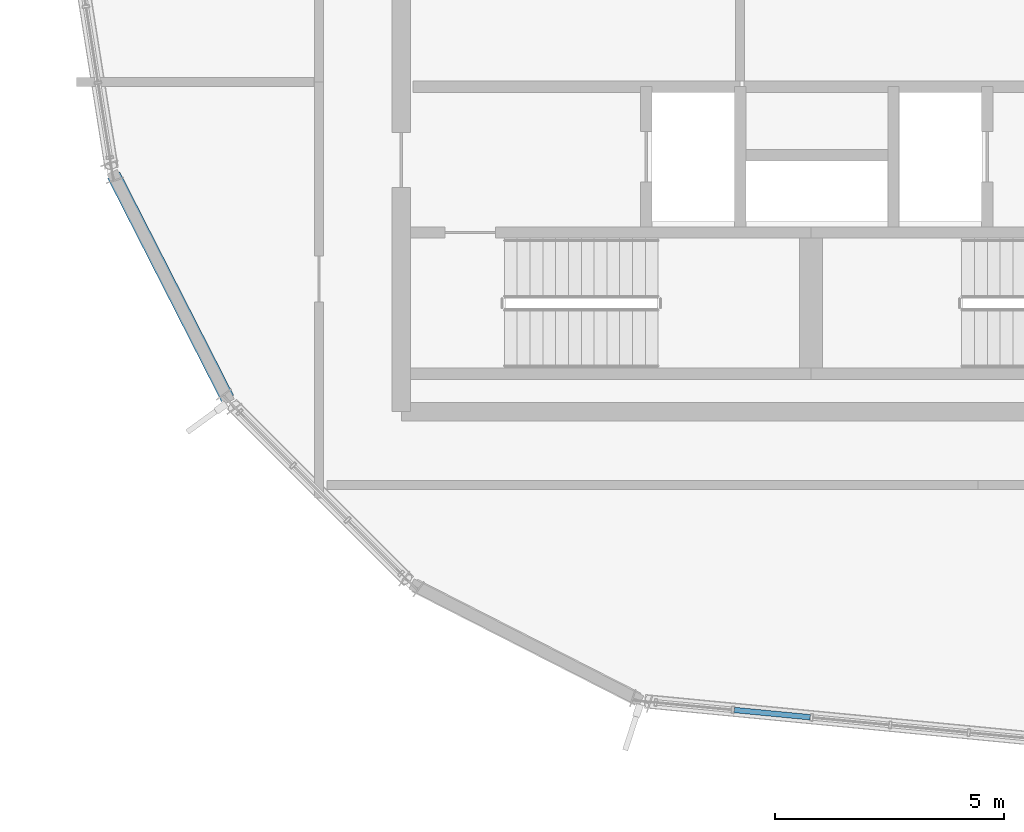
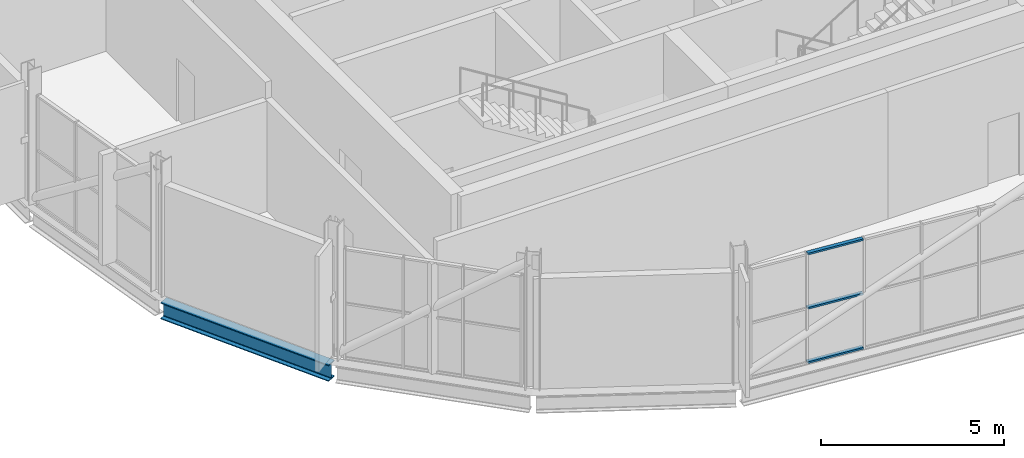
# One storey, part 3 of 22: 3 members, 1 beam, 1 element without a shape of its own.
"""IFC4 building model written with IfcOpenShell, lengths in metres."""

from ifc_helpers import new_model, si_unit, direction, frame, origin, origin_2d, place, context, subcontext, project, spatial, hollow_rectangle, i_section, extrude, material, layer, layer_set, material_profile, profile_set, type_object, element, aggregate, save


model = new_model("IFC4")

# Units and contexts
model_context = context("Model", 3, precision=1e-05, world=origin(), true_north=direction((0.0, 1.0)))
body_context = subcontext(model_context, "Body", "Model", "MODEL_VIEW")
ifc_project = project(units=[si_unit("LENGTHUNIT", "METRE"), si_unit("AREAUNIT", "SQUARE_METRE"), si_unit("VOLUMEUNIT", "CUBIC_METRE"), si_unit("PLANEANGLEUNIT", "RADIAN"), si_unit("MASSUNIT", "GRAM", prefix="KILO")], contexts=[model_context])

# Site, building, storey
site_placement = place(None, origin())
site = spatial("IfcSite", under=ifc_project, at=site_placement, CompositionType="ELEMENT")
building_placement = place(site_placement, origin())
building = spatial("IfcBuilding", under=site, at=building_placement, Name="Solnavia Interchange Tower", CompositionType="ELEMENT")
storey_placement = place(building_placement, frame((0.0, 0.0, 317.699951171875)))
storey = spatial("IfcBuildingStorey", under=building, at=storey_placement, Name="C04", CompositionType="ELEMENT", Elevation=317.699951171875)

# Curtain wall, members
ifc_material_1 = material(Name="Aluminium Alloy 6063-T6", Category="aluminium")
ifc_layer = layer(ifc_material_1, 0.179931640625)
ifc_layer_set = layer_set([ifc_layer], Name="Aluminium Alloy 6063-T6")
curtain_wall_type = type_object("IfcCurtainWallType", Name="CurtainWall-Crown-CTW6", PredefinedType="NOTDEFINED", material=ifc_layer_set)
curtain_wall_placement = place(storey_placement, origin())
curtain_wall = element("IfcCurtainWall", 1, at=curtain_wall_placement, inside=storey, type_object=curtain_wall_type, Name="CTW-C04-R13 CTW-6 curtain wall", PredefinedType="NOTDEFINED")
ifc_material_profile_1 = material_profile(ifc_material_1, hollow_rectangle(XDim=0.06005859375, YDim=0.1201171875, WallThickness=0.00390625, at=origin_2d()), Name="ALU 120x60x4")
ifc_profile_set_1 = profile_set([ifc_material_profile_1], Name="Aluminium Alloy 6063-T6")
member_type = type_object("IfcMemberType", Name="CW-Transom-CWT-6", PredefinedType="USERDEFINED", material=ifc_profile_set_1)
member_1_placement = place(storey_placement, frame((21.672607421875, 4.285400390625, 0.030029296875), z_axis=(0.995407417391, -0.095729166945, 0.0), x_axis=(0.0, 0.0, 1.0)))
member_1 = element("IfcMember", 2, at=member_1_placement, type_object=member_type, Name="CTW-6 transom 2.1", ObjectType="TRANSOM", PredefinedType="USERDEFINED", context=body_context, shape_type="SweptSolid", body=[
    extrude(hollow_rectangle(XDim=0.06005859375, YDim=0.1201171875, WallThickness=0.00390625, at=origin_2d()), origin(), (0.0, 0.0, 1.0), 1.665283203125),
])
member_2_placement = place(storey_placement, frame((21.672607421875, 4.285400390625, 1.840087890625), z_axis=(0.995407417391, -0.095729166945, 0.0), x_axis=(0.0, 0.0, 1.0)))
member_2 = element("IfcMember", 3, at=member_2_placement, type_object=member_type, Name="CTW-6 transom 2.2", ObjectType="TRANSOM", PredefinedType="USERDEFINED", context=body_context, shape_type="SweptSolid", body=[
    extrude(hollow_rectangle(XDim=0.06005859375, YDim=0.1201171875, WallThickness=0.00390625, at=origin_2d()), origin(), (0.0, 0.0, 1.0), 1.665283203125),
])
member_3_placement = place(storey_placement, frame((21.672607421875, 4.285400390625, 3.650146484375), z_axis=(0.995407417391, -0.095729166945, 0.0), x_axis=(0.0, 0.0, 1.0)))
member_3 = element("IfcMember", 4, at=member_3_placement, type_object=member_type, Name="CTW-6 transom 2.3", ObjectType="TRANSOM", PredefinedType="USERDEFINED", context=body_context, shape_type="SweptSolid", body=[
    extrude(hollow_rectangle(XDim=0.06005859375, YDim=0.1201171875, WallThickness=0.00390625, at=origin_2d()), origin(), (0.0, 0.0, 1.0), 1.665283203125),
])
aggregate(curtain_wall, [member_1, member_2, member_3])

# Beam
ifc_material_2 = material(Name="Steel S460", Category="steel")
ifc_material_profile_2 = material_profile(ifc_material_2, i_section(OverallWidth=0.300048828125, OverallDepth=0.550048828125, WebThickness=0.014892578125, FlangeThickness=0.029052734375, FilletRadius=0.027099609375, at=origin_2d()), Name="HEB 550")
ifc_profile_set_2 = profile_set([ifc_material_profile_2], Name="Steel S460")
beam_type = type_object("IfcBeamType", Name="CrownFrame-Ring-HEB550", PredefinedType="BEAM", material=ifc_profile_set_2)
beam_placement = place(storey_placement, frame((8.1171875, 15.966796875, -0.52490234375), z_axis=(0.454053431986, -0.890974455808, 0.0), x_axis=(0.890974455808, 0.454053431986, 0.0)))
element("IfcBeam", 5, at=beam_placement, inside=storey, type_object=beam_type, Name="GRD-C04-CR10 CROWN FRAME outer collar ring beam", PredefinedType="BEAM", context=body_context, shape_type="SweptSolid", body=[
    extrude(i_section(OverallWidth=0.300048828125, OverallDepth=0.550048828125, WebThickness=0.014892578125, FlangeThickness=0.029052734375, FilletRadius=0.027099609375, at=origin_2d()), origin(), (0.0, 0.0, 1.0), 5.47216796875),
])

save(model, "model.ifc")
